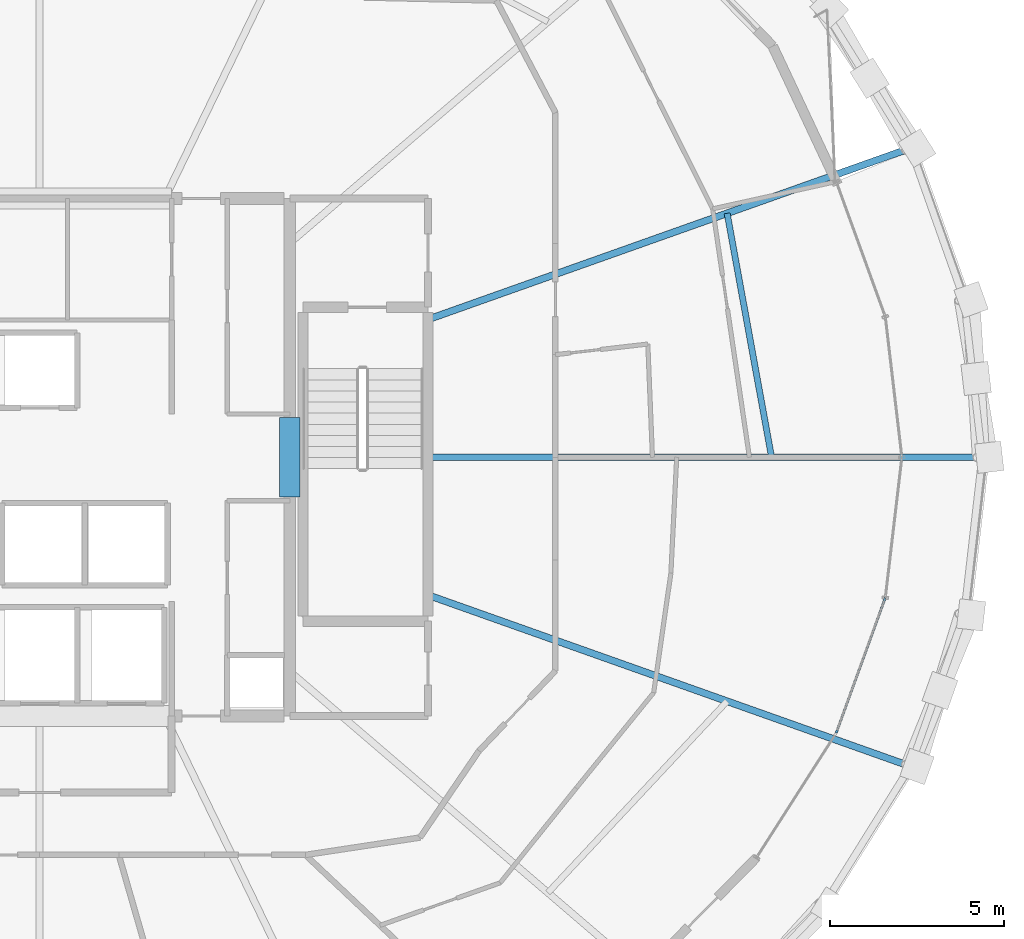
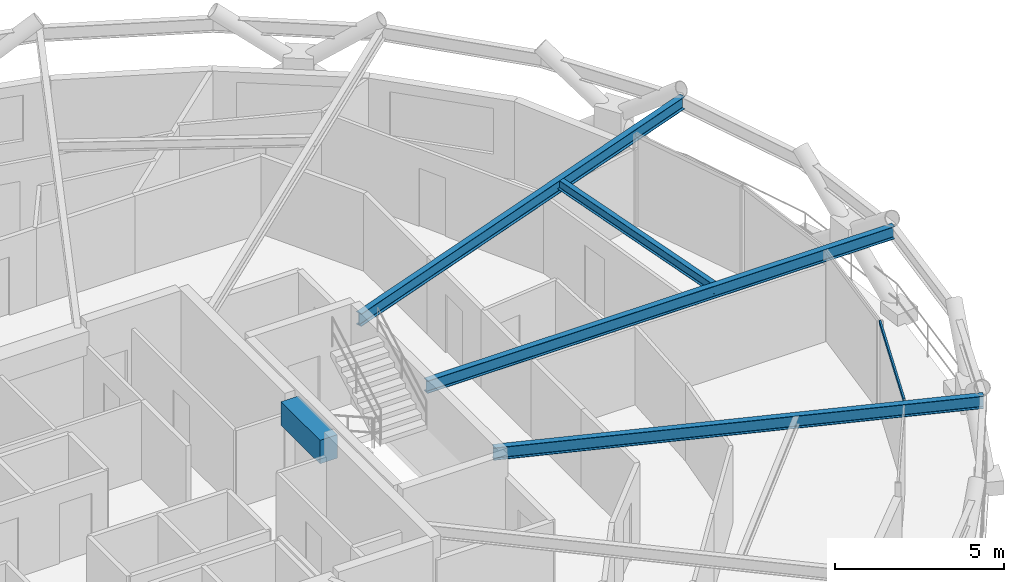
# One storey, part 7 of 16: 5 beams, 1 member, 1 element without a shape of its own.
"""IFC4 building model written with IfcOpenShell, lengths in metres."""

from ifc_helpers import new_model, si_unit, direction, frame, origin, origin_2d, place, context, subcontext, project, spatial, rectangle, hollow_rectangle, i_section, extrude, material, layer, layer_set, material_profile, profile_set, type_object, element, aggregate, save


model = new_model("IFC4")

# Units and contexts
model_context = context("Model", 3, precision=1e-05, world=origin(), true_north=direction((0.0, 1.0)))
body_context = subcontext(model_context, "Body", "Model", "MODEL_VIEW")
ifc_project = project(units=[si_unit("LENGTHUNIT", "METRE"), si_unit("AREAUNIT", "SQUARE_METRE"), si_unit("VOLUMEUNIT", "CUBIC_METRE"), si_unit("PLANEANGLEUNIT", "RADIAN"), si_unit("MASSUNIT", "GRAM", prefix="KILO")], contexts=[model_context])

# Site, building, storey
site_placement = place(None, origin())
site = spatial("IfcSite", under=ifc_project, at=site_placement, CompositionType="ELEMENT")
building_placement = place(site_placement, origin())
building = spatial("IfcBuilding", under=site, at=building_placement, Name="Veldorina Hangang Commons", CompositionType="ELEMENT")
storey_placement = place(building_placement, frame((0.0, 0.0, 185.60009765625)))
storey = spatial("IfcBuildingStorey", under=building, at=storey_placement, Name="L48", CompositionType="ELEMENT", Elevation=185.60009765625)

# Beams
ifc_material_1 = material(Name="Concrete C60/75", Category="concrete")
ifc_material_profile_1 = material_profile(ifc_material_1, rectangle(XDim=0.60009765625, YDim=0.85009765625, at=origin_2d()), Name="RC-CB-600x850")
ifc_profile_set_1 = profile_set([ifc_material_profile_1], Name="Concrete C60/75")
beam_type_1 = type_object("IfcBeamType", Name="BM-CB850", PredefinedType="LINTEL", material=ifc_profile_set_1)
beam_1_placement = place(storey_placement, frame((39.199951171875, 22.85009765625, 2.9248046875), z_axis=(0.0, 1.0, 0.0), x_axis=(-1.0, 0.0, 0.0)))
element("IfcBeam", 1, at=beam_1_placement, inside=storey, type_object=beam_type_1, Name="L48 E core coupling lintel beam", PredefinedType="LINTEL", context=body_context, shape_type="SweptSolid", body=[
    extrude(rectangle(XDim=0.60009765625, YDim=0.85009765625, at=origin_2d()), origin(), (0.0, 0.0, 1.0), 2.2998046875),
])
ifc_material_2 = material(Name="Steel SM355-TMC", Category="steel")
ifc_material_profile_2 = material_profile(ifc_material_2, i_section(OverallWidth=0.199951171875, OverallDepth=0.449951171875, WebThickness=0.009033203125, FlangeThickness=0.013916015625, FilletRadius=0.01611328125, at=origin_2d()), Name="H-450x200x9x14")
ifc_profile_set_2 = profile_set([ifc_material_profile_2], Name="Steel SM355-TMC")
beam_type_2 = type_object("IfcBeamType", Name="BM-FG450", PredefinedType="BEAM", material=ifc_profile_set_2)
beam_2_placement = place(storey_placement, frame((43.179931640625, 24.0, 3.125), z_axis=(1.0, 0.0, 0.0), x_axis=(0.0, 1.0, 0.0)))
element("IfcBeam", 2, at=beam_2_placement, inside=storey, type_object=beam_type_2, Name="L48 radial floor girder 01", PredefinedType="BEAM", context=body_context, shape_type="SweptSolid", body=[
    extrude(i_section(OverallWidth=0.199951171875, OverallDepth=0.449951171875, WebThickness=0.009033203125, FlangeThickness=0.013916015625, FilletRadius=0.01611328125, at=origin_2d()), origin(), (0.0, 0.0, 1.0), 15.957275390625),
])
for number, where, z_axis, x_axis, name in (
    (3, (43.179931640625, 27.968017578125, 3.125), (0.942398107102, 0.334493359772, 0.0), (-0.334493359772, 0.942398107102, 0.0), "L48 radial floor girder 02"),
    (4, (43.179931640625, 20.031982421875, 3.125), (0.942398107102, -0.334493359772, 0.0), (0.334493359772, 0.942398107102, 0.0), "L48 radial floor girder 16"),
):
    element("IfcBeam", number, at=place(storey_placement, frame(where, z_axis=z_axis, x_axis=x_axis)), inside=storey, type_object=beam_type_2, Name=name, PredefinedType="BEAM", context=body_context, shape_type="SweptSolid", body=[
        extrude(i_section(OverallWidth=0.199951171875, OverallDepth=0.449951171875, WebThickness=0.009033203125, FlangeThickness=0.013916015625, FilletRadius=0.01611328125, at=origin_2d()), origin(), (0.0, 0.0, 1.0), 14.74072265625),
    ])
ifc_material_profile_3 = material_profile(ifc_material_2, i_section(OverallWidth=0.175048828125, OverallDepth=0.35009765625, WebThickness=0.007080078125, FlangeThickness=0.010986328125, FilletRadius=0.012939453125, at=origin_2d()), Name="H-350x175x7x11")
ifc_profile_set_3 = profile_set([ifc_material_profile_3], Name="Steel SM355-TMC")
beam_type_3 = type_object("IfcBeamType", Name="BM-JST350", PredefinedType="JOIST", material=ifc_profile_set_3)
beam_3_placement = place(storey_placement, frame((53.073486328125, 24.0, 3.1748046875), z_axis=(-0.179360795226, 0.983783362909, 0.0), x_axis=(-0.983783362909, -0.179360795226, 0.0)))
element("IfcBeam", 5, at=beam_3_placement, inside=storey, type_object=beam_type_3, Name="L48 secondary floor joist 01", PredefinedType="JOIST", context=body_context, shape_type="SweptSolid", body=[
    extrude(i_section(OverallWidth=0.175048828125, OverallDepth=0.35009765625, WebThickness=0.007080078125, FlangeThickness=0.010986328125, FilletRadius=0.012939453125, at=origin_2d()), origin(), (0.0, 0.0, 1.0), 7.140625),
])

# Curtain wall, member
ifc_material_3 = material(Name="Glass Low-E Triple IGU", Category="glass")
ifc_layer = layer(ifc_material_3, 0.179931640625)
ifc_layer_set = layer_set([ifc_layer], Name="Glass Low-E Triple IGU")
curtain_wall_type = type_object("IfcCurtainWallType", Name="CW-SYS-Z2", PredefinedType="NOTDEFINED", material=ifc_layer_set)
curtain_wall_placement = place(storey_placement, origin())
curtain_wall = element("IfcCurtainWall", 6, at=curtain_wall_placement, inside=storey, type_object=curtain_wall_type, Name="L48 unitised curtain wall CW-L48-R2", PredefinedType="NOTDEFINED")
ifc_material_4 = material(Name="Aluminium Anodized AA6063-T6", Category="aluminium")
ifc_material_profile_4 = material_profile(ifc_material_4, hollow_rectangle(XDim=0.06005859375, YDim=0.139892578125, WallThickness=0.00341796875, at=origin_2d()), Name="ALU-RHS-140x60x3.5")
ifc_profile_set_4 = profile_set([ifc_material_profile_4], Name="Aluminium Anodized AA6063-T6")
member_type = type_object("IfcMemberType", Name="CW-TRN-140", PredefinedType="USERDEFINED", material=ifc_profile_set_4)
member_placement = place(storey_placement, frame((54.933837890625, 16.061767578125, 3.27001953125), z_axis=(0.341222147506, 0.93998268391, 0.0), x_axis=(-0.93998268391, 0.341222147506, 0.0)))
member = element("IfcMember", 7, at=member_placement, type_object=member_type, Name="CW-L48-R2 facet 2 transom 1", ObjectType="TRANSOM", PredefinedType="USERDEFINED", context=body_context, shape_type="SweptSolid", body=[
    extrude(hollow_rectangle(XDim=0.06005859375, YDim=0.139892578125, WallThickness=0.00341796875, at=origin_2d()), origin(), (0.0, 0.0, 1.0), 4.139892578125),
])
aggregate(curtain_wall, [member])

save(model, "model.ifc")
